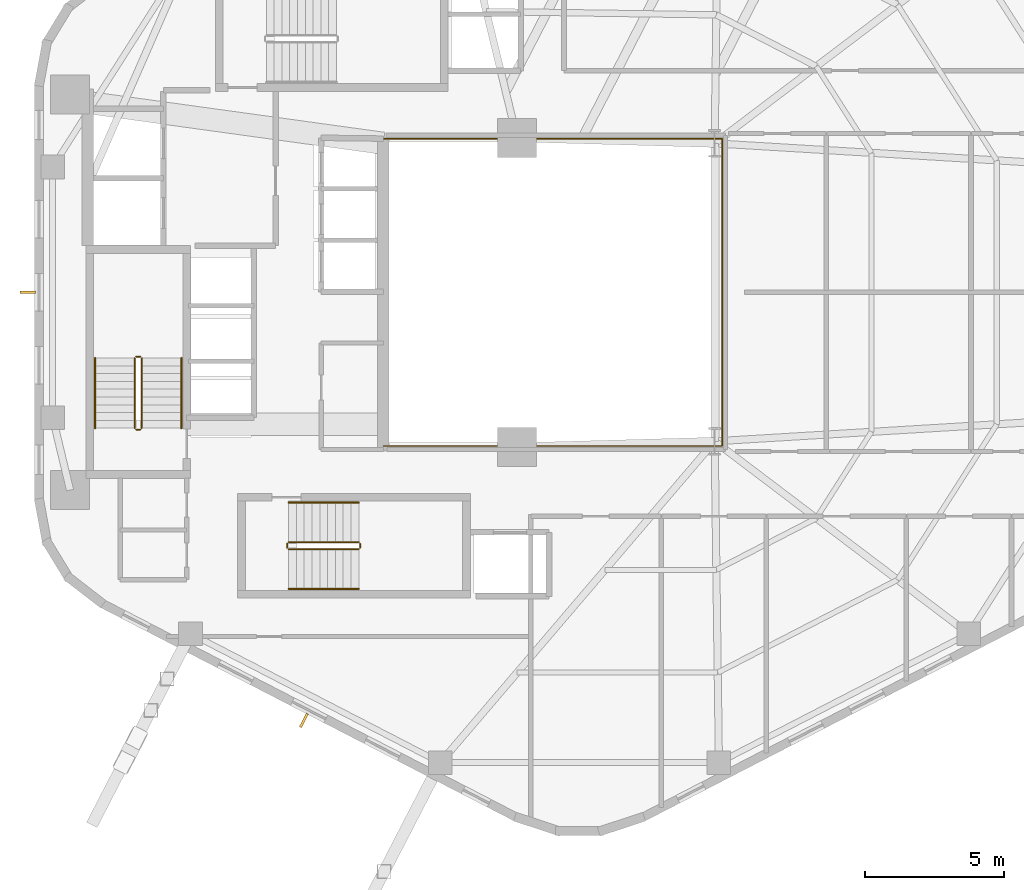
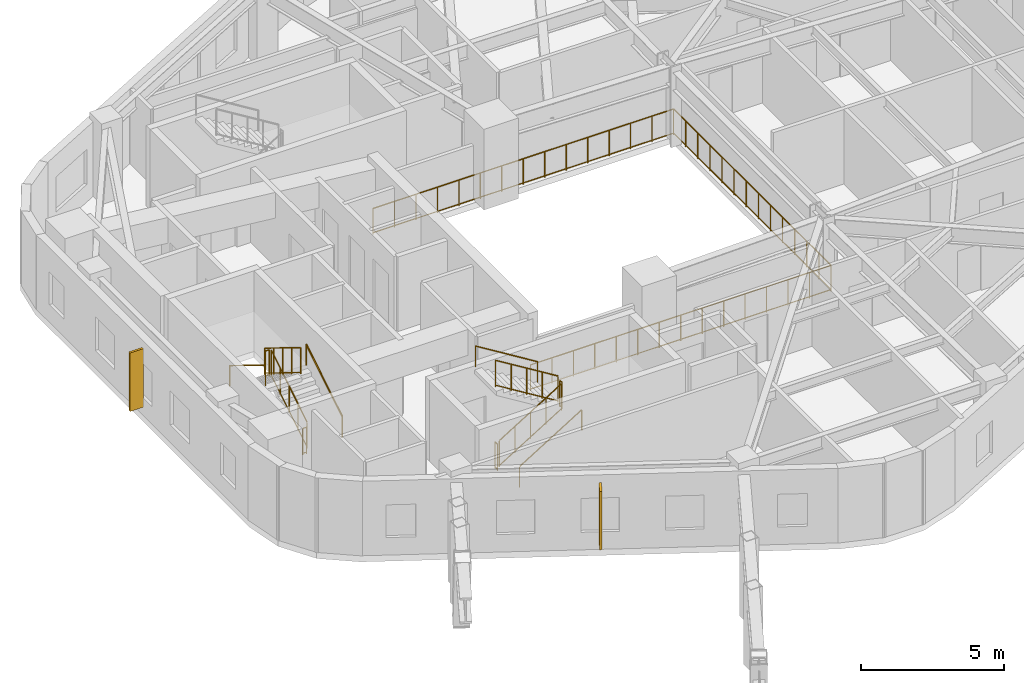
# One storey, part 10 of 11: 13 railings, 2 shading devices.
"""IFC4 building model written with IfcOpenShell, lengths in metres."""

from ifc_helpers import new_model, si_unit, direction, frame, origin, origin_2d, place, context, subcontext, project, spatial, rectangle, circle, extrude, material, type_object, element, save


model = new_model("IFC4")

# Units and contexts
model_context = context("Model", 3, precision=1e-05, world=origin(), true_north=direction((0.0, 1.0)))
body_context = subcontext(model_context, "Body", "Model", "MODEL_VIEW")
ifc_project = project(units=[si_unit("LENGTHUNIT", "METRE"), si_unit("AREAUNIT", "SQUARE_METRE"), si_unit("VOLUMEUNIT", "CUBIC_METRE"), si_unit("PLANEANGLEUNIT", "RADIAN"), si_unit("MASSUNIT", "GRAM", prefix="KILO"), si_unit("THERMODYNAMICTEMPERATUREUNIT", "KELVIN"), si_unit("POWERUNIT", "WATT")], contexts=[model_context])

# Site, building, storey
site_placement = place(None, origin())
site = spatial("IfcSite", under=ifc_project, at=site_placement, CompositionType="ELEMENT")
building_placement = place(site_placement, origin())
building = spatial("IfcBuilding", under=site, at=building_placement, Name="Skarre Station Tower", CompositionType="ELEMENT")
storey_placement = place(building_placement, frame((0.0, 0.0, 167.10009765625)))
storey = spatial("IfcBuildingStorey", under=building, at=storey_placement, Name="L45", CompositionType="ELEMENT", Elevation=167.10009765625)

# Railing
ifc_material_1 = material(Name="Bronze Anodized Steel & Laminated Glass Balustrade", Category="steel")
railing_type_1 = type_object("IfcRailingType", Name="Atrium Void & Mezzanine Guard Balustrade 1120", PredefinedType="GUARDRAIL", material=ifc_material_1)
railing_1_placement = place(storey_placement, frame((27.550048828125, 18.47998046875, 0.0)))
element("IfcRailing", 1, at=railing_1_placement, inside=storey, type_object=railing_type_1, Name="L45 Atrium Void Guard Balustrade", PredefinedType="GUARDRAIL", context=body_context, shape_type="SweptSolid", body=[
    extrude(circle(Radius=0.02392578125, at=origin_2d()), frame((0.0, 0.0, 1.09619140625), z_axis=(1.0, 0.0, 0.0), x_axis=(0.0, 1.0, 0.0)), (0.0, 0.0, 1.0), 12.169921875),
    extrude(circle(Radius=0.02099609375, at=origin_2d()), frame((0.0, 0.0, 0.06005859375), z_axis=(1.0, 0.0, 0.0), x_axis=(0.0, 1.0, 0.0)), (0.0, 0.0, 1.0), 12.169921875),
    extrude(circle(Radius=0.02392578125, at=origin_2d()), frame((12.169921875, 0.0, 1.09619140625), z_axis=(0.0, 1.0, 0.0), x_axis=(-1.0, 0.0, 0.0)), (0.0, 0.0, 1.0), 11.0400390625),
    extrude(circle(Radius=0.02099609375, at=origin_2d()), frame((12.169921875, 0.0, 0.06005859375), z_axis=(0.0, 1.0, 0.0), x_axis=(-1.0, 0.0, 0.0)), (0.0, 0.0, 1.0), 11.0400390625),
    extrude(circle(Radius=0.02392578125, at=origin_2d()), frame((12.169921875, 11.0400390625, 1.09619140625), z_axis=(-1.0, 0.0, 0.0), x_axis=(0.0, -1.0, 0.0)), (0.0, 0.0, 1.0), 12.169921875),
    extrude(circle(Radius=0.02099609375, at=origin_2d()), frame((12.169921875, 11.0400390625, 0.06005859375), z_axis=(-1.0, 0.0, 0.0), x_axis=(0.0, -1.0, 0.0)), (0.0, 0.0, 1.0), 12.169921875),
    extrude(circle(Radius=0.02099609375, at=origin_2d()), origin(), (0.0, 0.0, 1.0), 1.072021484375),
    extrude(circle(Radius=0.02099609375, at=origin_2d()), frame((0.869384765625, 0.0, 0.0)), (0.0, 0.0, 1.0), 1.072021484375),
    extrude(circle(Radius=0.02099609375, at=origin_2d()), frame((1.738525390625, 0.0, 0.0)), (0.0, 0.0, 1.0), 1.072021484375),
    extrude(circle(Radius=0.02099609375, at=origin_2d()), frame((2.60791015625, 0.0, 0.0)), (0.0, 0.0, 1.0), 1.072021484375),
    extrude(circle(Radius=0.02099609375, at=origin_2d()), frame((3.47705078125, 0.0, 0.0)), (0.0, 0.0, 1.0), 1.072021484375),
    extrude(circle(Radius=0.02099609375, at=origin_2d()), frame((4.346435546875, 0.0, 0.0)), (0.0, 0.0, 1.0), 1.072021484375),
    extrude(circle(Radius=0.02099609375, at=origin_2d()), frame((5.215576171875, 0.0, 0.0)), (0.0, 0.0, 1.0), 1.072021484375),
    extrude(circle(Radius=0.02099609375, at=origin_2d()), frame((6.0849609375, 0.0, 0.0)), (0.0, 0.0, 1.0), 1.072021484375),
    extrude(circle(Radius=0.02099609375, at=origin_2d()), frame((6.954345703125, 0.0, 0.0)), (0.0, 0.0, 1.0), 1.072021484375),
    extrude(circle(Radius=0.02099609375, at=origin_2d()), frame((7.823486328125, 0.0, 0.0)), (0.0, 0.0, 1.0), 1.072021484375),
    extrude(circle(Radius=0.02099609375, at=origin_2d()), frame((8.69287109375, 0.0, 0.0)), (0.0, 0.0, 1.0), 1.072021484375),
    extrude(circle(Radius=0.02099609375, at=origin_2d()), frame((9.56201171875, 0.0, 0.0)), (0.0, 0.0, 1.0), 1.072021484375),
    extrude(circle(Radius=0.02099609375, at=origin_2d()), frame((10.431396484375, 0.0, 0.0)), (0.0, 0.0, 1.0), 1.072021484375),
    extrude(circle(Radius=0.02099609375, at=origin_2d()), frame((11.300537109375, 0.0, 0.0)), (0.0, 0.0, 1.0), 1.072021484375),
    extrude(circle(Radius=0.02099609375, at=origin_2d()), frame((12.169921875, 0.0, 0.0)), (0.0, 0.0, 1.0), 1.072021484375),
    extrude(circle(Radius=0.02099609375, at=origin_2d()), frame((12.169921875, 0.84912109375, 0.0)), (0.0, 0.0, 1.0), 1.072021484375),
    extrude(circle(Radius=0.02099609375, at=origin_2d()), frame((12.169921875, 1.698486328125, 0.0)), (0.0, 0.0, 1.0), 1.072021484375),
    extrude(circle(Radius=0.02099609375, at=origin_2d()), frame((12.169921875, 2.547607421875, 0.0)), (0.0, 0.0, 1.0), 1.072021484375),
    extrude(circle(Radius=0.02099609375, at=origin_2d()), frame((12.169921875, 3.39697265625, 0.0)), (0.0, 0.0, 1.0), 1.072021484375),
    extrude(circle(Radius=0.02099609375, at=origin_2d()), frame((12.169921875, 4.24609375, 0.0)), (0.0, 0.0, 1.0), 1.072021484375),
    extrude(circle(Radius=0.02099609375, at=origin_2d()), frame((12.169921875, 5.095458984375, 0.0)), (0.0, 0.0, 1.0), 1.072021484375),
    extrude(circle(Radius=0.02099609375, at=origin_2d()), frame((12.169921875, 5.944580078125, 0.0)), (0.0, 0.0, 1.0), 1.072021484375),
    extrude(circle(Radius=0.02099609375, at=origin_2d()), frame((12.169921875, 6.7939453125, 0.0)), (0.0, 0.0, 1.0), 1.072021484375),
    extrude(circle(Radius=0.02099609375, at=origin_2d()), frame((12.169921875, 7.64306640625, 0.0)), (0.0, 0.0, 1.0), 1.072021484375),
    extrude(circle(Radius=0.02099609375, at=origin_2d()), frame((12.169921875, 8.492431640625, 0.0)), (0.0, 0.0, 1.0), 1.072021484375),
    extrude(circle(Radius=0.02099609375, at=origin_2d()), frame((12.169921875, 9.341552734375, 0.0)), (0.0, 0.0, 1.0), 1.072021484375),
    extrude(circle(Radius=0.02099609375, at=origin_2d()), frame((12.169921875, 10.19091796875, 0.0)), (0.0, 0.0, 1.0), 1.072021484375),
    extrude(circle(Radius=0.02099609375, at=origin_2d()), frame((12.169921875, 11.0400390625, 0.0)), (0.0, 0.0, 1.0), 1.072021484375),
    extrude(circle(Radius=0.02099609375, at=origin_2d()), frame((11.300537109375, 11.0400390625, 0.0)), (0.0, 0.0, 1.0), 1.072021484375),
    extrude(circle(Radius=0.02099609375, at=origin_2d()), frame((10.431396484375, 11.0400390625, 0.0)), (0.0, 0.0, 1.0), 1.072021484375),
    extrude(circle(Radius=0.02099609375, at=origin_2d()), frame((9.56201171875, 11.0400390625, 0.0)), (0.0, 0.0, 1.0), 1.072021484375),
    extrude(circle(Radius=0.02099609375, at=origin_2d()), frame((8.69287109375, 11.0400390625, 0.0)), (0.0, 0.0, 1.0), 1.072021484375),
    extrude(circle(Radius=0.02099609375, at=origin_2d()), frame((7.823486328125, 11.0400390625, 0.0)), (0.0, 0.0, 1.0), 1.072021484375),
    extrude(circle(Radius=0.02099609375, at=origin_2d()), frame((6.954345703125, 11.0400390625, 0.0)), (0.0, 0.0, 1.0), 1.072021484375),
    extrude(circle(Radius=0.02099609375, at=origin_2d()), frame((6.0849609375, 11.0400390625, 0.0)), (0.0, 0.0, 1.0), 1.072021484375),
    extrude(circle(Radius=0.02099609375, at=origin_2d()), frame((5.215576171875, 11.0400390625, 0.0)), (0.0, 0.0, 1.0), 1.072021484375),
    extrude(circle(Radius=0.02099609375, at=origin_2d()), frame((4.346435546875, 11.0400390625, 0.0)), (0.0, 0.0, 1.0), 1.072021484375),
    extrude(circle(Radius=0.02099609375, at=origin_2d()), frame((3.47705078125, 11.0400390625, 0.0)), (0.0, 0.0, 1.0), 1.072021484375),
    extrude(circle(Radius=0.02099609375, at=origin_2d()), frame((2.60791015625, 11.0400390625, 0.0)), (0.0, 0.0, 1.0), 1.072021484375),
    extrude(circle(Radius=0.02099609375, at=origin_2d()), frame((1.738525390625, 11.0400390625, 0.0)), (0.0, 0.0, 1.0), 1.072021484375),
    extrude(circle(Radius=0.02099609375, at=origin_2d()), frame((0.869384765625, 11.0400390625, 0.0)), (0.0, 0.0, 1.0), 1.072021484375),
    extrude(circle(Radius=0.02099609375, at=origin_2d()), frame((0.0, 11.0400390625, 0.0)), (0.0, 0.0, 1.0), 1.072021484375),
])

# Shading devices
ifc_material_2 = material(Name="Bronze Anodized Extruded Aluminium 6063-T6", Category="aluminium")
shading_device_type = type_object("IfcShadingDeviceType", Name="Nordic Bronze Vertical Solar Fin 550x90", PredefinedType="SHUTTER", material=ifc_material_2)
for number, where, z_axis, x_axis, name in (
    (2, (14.778076171875, 24.0, 0.349853515625), (0.0, 0.0, 1.0), (-1.0, 0.0, 0.0), "L45 Facet 2 Bronze Solar Fin"),
    (3, (24.698974609375, 8.6279296875, 0.349853515625), (0.0, 0.0, 1.0), (-0.458634045118, -0.888625237464, 0.0), "L45 Facet 3 Bronze Solar Fin"),
):
    element("IfcShadingDevice", number, at=place(storey_placement, frame(where, z_axis=z_axis, x_axis=x_axis)), inside=storey, type_object=shading_device_type, Name=name, PredefinedType="SHUTTER", context=body_context, shape_type="SweptSolid", body=[
        extrude(rectangle(XDim=0.550048828125, YDim=0.090087890625, at=origin_2d()), origin(), (0.0, 0.0, 1.0), 2.5),
    ])

# Railings
ifc_material_3 = material(Name="Powder-Coated Tubular Steel", Category="steel")
railing_type_2 = type_object("IfcRailingType", Name="Painted Steel Ramp & Stair Handrail 920", PredefinedType="HANDRAIL", material=ifc_material_3)
railing_2_placement = place(storey_placement, frame((20.300048828125, 19.1201171875, 0.17236328125)))
element("IfcRailing", 4, at=railing_2_placement, inside=storey, type_object=railing_type_2, Name="L45 ST-1 stair handrail 1", PredefinedType="HANDRAIL", context=body_context, shape_type="SweptSolid", body=[
    extrude(circle(Radius=0.02392578125, at=origin_2d()), frame((0.0, 0.0, 0.8759765625), z_axis=(0.0, 0.851377800117, 0.52455299205), x_axis=(-1.0, 0.0, 0.0)), (0.0, 0.0, 1.0), 2.959716796875),
    extrude(circle(Radius=0.02099609375, at=origin_2d()), origin(), (0.0, 0.0, 1.0), 0.851806640625),
    extrude(circle(Radius=0.02099609375, at=origin_2d()), frame((0.0, 2.519775390625, 1.552490234375)), (0.0, 0.0, 1.0), 0.851806640625),
])
railing_3_placement = place(storey_placement, frame((17.199951171875, 21.639892578125, 1.8974609375)))
element("IfcRailing", 5, at=railing_3_placement, inside=storey, type_object=railing_type_2, Name="L45 ST-1 stair handrail 2", PredefinedType="HANDRAIL", context=body_context, shape_type="SweptSolid", body=[
    extrude(circle(Radius=0.02392578125, at=origin_2d()), frame((0.0, 0.0, 0.8759765625), z_axis=(0.0, -0.851377800117, 0.52455299205), x_axis=(1.0, 0.0, 0.0)), (0.0, 0.0, 1.0), 2.959716796875),
    extrude(circle(Radius=0.02099609375, at=origin_2d()), origin(), (0.0, 0.0, 1.0), 0.851806640625),
    extrude(circle(Radius=0.02099609375, at=origin_2d()), frame((0.0, -2.519775390625, 1.552490234375)), (0.0, 0.0, 1.0), 0.851806640625),
])
railing_4_placement = place(storey_placement, frame((24.14990234375, 13.35009765625, 0.17236328125)))
element("IfcRailing", 6, at=railing_4_placement, inside=storey, type_object=railing_type_2, Name="L45 ST-2 stair handrail 1", PredefinedType="HANDRAIL", context=body_context, shape_type="SweptSolid", body=[
    extrude(circle(Radius=0.02392578125, at=origin_2d()), frame((0.0, 0.0, 0.8759765625), z_axis=(0.851400495292, 0.0, 0.524516154772), x_axis=(0.0, 1.0, 0.0)), (0.0, 0.0, 1.0), 2.9599609375),
    extrude(circle(Radius=0.02099609375, at=origin_2d()), origin(), (0.0, 0.0, 1.0), 0.851806640625),
    extrude(circle(Radius=0.02099609375, at=origin_2d()), frame((2.52001953125, 0.0, 1.552490234375)), (0.0, 0.0, 1.0), 0.851806640625),
])
railing_5_placement = place(storey_placement, frame((26.669921875, 16.449951171875, 1.8974609375)))
element("IfcRailing", 7, at=railing_5_placement, inside=storey, type_object=railing_type_2, Name="L45 ST-2 stair handrail 2", PredefinedType="HANDRAIL", context=body_context, shape_type="SweptSolid", body=[
    extrude(circle(Radius=0.02392578125, at=origin_2d()), frame((0.0, 0.0, 0.8759765625), z_axis=(-0.851400495292, 0.0, 0.524516154772), x_axis=(0.0, -1.0, 0.0)), (0.0, 0.0, 1.0), 2.9599609375),
    extrude(circle(Radius=0.02099609375, at=origin_2d()), origin(), (0.0, 0.0, 1.0), 0.851806640625),
    extrude(circle(Radius=0.02099609375, at=origin_2d()), frame((-2.52001953125, 0.0, 1.552490234375)), (0.0, 0.0, 1.0), 0.851806640625),
])
railing_type_3 = type_object("IfcRailingType", Name="Painted Steel Stairwell Guardrail 1100", PredefinedType="GUARDRAIL", material=ifc_material_3)
railing_6_placement = place(storey_placement, frame((18.8798828125, 19.1201171875, 0.17236328125)))
element("IfcRailing", 8, at=railing_6_placement, inside=storey, type_object=railing_type_3, Name="L45 ST-1 stair guard 1", PredefinedType="GUARDRAIL", context=body_context, shape_type="SweptSolid", body=[
    extrude(circle(Radius=0.02392578125, at=origin_2d()), frame((0.0, 0.0, 1.1259765625), z_axis=(0.0, 0.851377800117, 0.52455299205), x_axis=(-1.0, 0.0, 0.0)), (0.0, 0.0, 1.0), 2.959716796875),
    extrude(circle(Radius=0.02099609375, at=origin_2d()), frame((0.0, 0.0, 0.06005859375), z_axis=(0.0, 0.851377800117, 0.52455299205), x_axis=(-1.0, 0.0, 0.0)), (0.0, 0.0, 1.0), 2.959716796875),
    extrude(circle(Radius=0.02099609375, at=origin_2d()), origin(), (0.0, 0.0, 1.0), 1.101806640625),
    extrude(circle(Radius=0.02099609375, at=origin_2d()), frame((0.0, 0.6298828125, 0.38818359375)), (0.0, 0.0, 1.0), 1.101806640625),
    extrude(circle(Radius=0.02099609375, at=origin_2d()), frame((0.0, 1.259765625, 0.7763671875)), (0.0, 0.0, 1.0), 1.101806640625),
    extrude(circle(Radius=0.02099609375, at=origin_2d()), frame((0.0, 1.889892578125, 1.164306640625)), (0.0, 0.0, 1.0), 1.101806640625),
    extrude(circle(Radius=0.02099609375, at=origin_2d()), frame((0.0, 2.519775390625, 1.552490234375)), (0.0, 0.0, 1.0), 1.101806640625),
])
railing_7_placement = place(storey_placement, frame((18.830078125, 21.68994140625, 1.724853515625)))
element("IfcRailing", 9, at=railing_7_placement, inside=storey, type_object=railing_type_3, Name="L45 ST-1 stair guard 2", PredefinedType="GUARDRAIL", context=body_context, shape_type="SweptSolid", body=[
    extrude(circle(Radius=0.02392578125, at=origin_2d()), frame((0.0, 0.0, 1.1259765625), z_axis=(-1.0, 0.0, 0.0), x_axis=(0.0, -1.0, 0.0)), (0.0, 0.0, 1.0), 0.16015625),
    extrude(circle(Radius=0.02099609375, at=origin_2d()), frame((0.0, 0.0, 0.06005859375), z_axis=(-1.0, 0.0, 0.0), x_axis=(0.0, -1.0, 0.0)), (0.0, 0.0, 1.0), 0.16015625),
    extrude(circle(Radius=0.02099609375, at=origin_2d()), origin(), (0.0, 0.0, 1.0), 1.101806640625),
    extrude(circle(Radius=0.02099609375, at=origin_2d()), frame((-0.16015625, 0.0, 0.0)), (0.0, 0.0, 1.0), 1.101806640625),
])
railing_8_placement = place(storey_placement, frame((18.6201171875, 21.639892578125, 1.8974609375)))
element("IfcRailing", 10, at=railing_8_placement, inside=storey, type_object=railing_type_3, Name="L45 ST-1 stair guard 3", PredefinedType="GUARDRAIL", context=body_context, shape_type="SweptSolid", body=[
    extrude(circle(Radius=0.02392578125, at=origin_2d()), frame((0.0, 0.0, 1.1259765625), z_axis=(0.0, -0.851377800117, 0.52455299205), x_axis=(1.0, 0.0, 0.0)), (0.0, 0.0, 1.0), 2.959716796875),
    extrude(circle(Radius=0.02099609375, at=origin_2d()), frame((0.0, 0.0, 0.06005859375), z_axis=(0.0, -0.851377800117, 0.52455299205), x_axis=(1.0, 0.0, 0.0)), (0.0, 0.0, 1.0), 2.959716796875),
    extrude(circle(Radius=0.02099609375, at=origin_2d()), origin(), (0.0, 0.0, 1.0), 1.101806640625),
    extrude(circle(Radius=0.02099609375, at=origin_2d()), frame((0.0, -0.6298828125, 0.38818359375)), (0.0, 0.0, 1.0), 1.101806640625),
    extrude(circle(Radius=0.02099609375, at=origin_2d()), frame((0.0, -1.259765625, 0.7763671875)), (0.0, 0.0, 1.0), 1.101806640625),
    extrude(circle(Radius=0.02099609375, at=origin_2d()), frame((0.0, -1.889892578125, 1.164306640625)), (0.0, 0.0, 1.0), 1.101806640625),
    extrude(circle(Radius=0.02099609375, at=origin_2d()), frame((0.0, -2.519775390625, 1.552490234375)), (0.0, 0.0, 1.0), 1.101806640625),
])
railing_9_placement = place(storey_placement, frame((18.830078125, 19.070068359375, 0.0)))
element("IfcRailing", 11, at=railing_9_placement, inside=storey, type_object=railing_type_3, Name="L45 ST-1 stair guard 4", PredefinedType="GUARDRAIL", context=body_context, shape_type="SweptSolid", body=[
    extrude(circle(Radius=0.02392578125, at=origin_2d()), frame((0.0, 0.0, 1.1259765625), z_axis=(-1.0, 0.0, 0.0), x_axis=(0.0, -1.0, 0.0)), (0.0, 0.0, 1.0), 0.16015625),
    extrude(circle(Radius=0.02099609375, at=origin_2d()), frame((0.0, 0.0, 0.06005859375), z_axis=(-1.0, 0.0, 0.0), x_axis=(0.0, -1.0, 0.0)), (0.0, 0.0, 1.0), 0.16015625),
    extrude(circle(Radius=0.02099609375, at=origin_2d()), origin(), (0.0, 0.0, 1.0), 1.101806640625),
    extrude(circle(Radius=0.02099609375, at=origin_2d()), frame((-0.16015625, 0.0, 0.0)), (0.0, 0.0, 1.0), 1.101806640625),
])
railing_10_placement = place(storey_placement, frame((24.14990234375, 14.77001953125, 0.17236328125)))
element("IfcRailing", 12, at=railing_10_placement, inside=storey, type_object=railing_type_3, Name="L45 ST-2 stair guard 1", PredefinedType="GUARDRAIL", context=body_context, shape_type="SweptSolid", body=[
    extrude(circle(Radius=0.02392578125, at=origin_2d()), frame((0.0, 0.0, 1.1259765625), z_axis=(0.851400495292, 0.0, 0.524516154772), x_axis=(0.0, 1.0, 0.0)), (0.0, 0.0, 1.0), 2.9599609375),
    extrude(circle(Radius=0.02099609375, at=origin_2d()), frame((0.0, 0.0, 0.06005859375), z_axis=(0.851400495292, 0.0, 0.524516154772), x_axis=(0.0, 1.0, 0.0)), (0.0, 0.0, 1.0), 2.9599609375),
    extrude(circle(Radius=0.02099609375, at=origin_2d()), origin(), (0.0, 0.0, 1.0), 1.101806640625),
    extrude(circle(Radius=0.02099609375, at=origin_2d()), frame((0.6298828125, 0.0, 0.38818359375)), (0.0, 0.0, 1.0), 1.101806640625),
    extrude(circle(Radius=0.02099609375, at=origin_2d()), frame((1.260009765625, 0.0, 0.7763671875)), (0.0, 0.0, 1.0), 1.101806640625),
    extrude(circle(Radius=0.02099609375, at=origin_2d()), frame((1.89013671875, 0.0, 1.164306640625)), (0.0, 0.0, 1.0), 1.101806640625),
    extrude(circle(Radius=0.02099609375, at=origin_2d()), frame((2.52001953125, 0.0, 1.552490234375)), (0.0, 0.0, 1.0), 1.101806640625),
])
railing_11_placement = place(storey_placement, frame((26.719970703125, 14.820068359375, 1.724853515625)))
element("IfcRailing", 13, at=railing_11_placement, inside=storey, type_object=railing_type_3, Name="L45 ST-2 stair guard 2", PredefinedType="GUARDRAIL", context=body_context, shape_type="SweptSolid", body=[
    extrude(circle(Radius=0.02392578125, at=origin_2d()), frame((0.0, 0.0, 1.1259765625), z_axis=(0.0, 1.0, 0.0), x_axis=(-1.0, 0.0, 0.0)), (0.0, 0.0, 1.0), 0.159912109375),
    extrude(circle(Radius=0.02099609375, at=origin_2d()), frame((0.0, 0.0, 0.06005859375), z_axis=(0.0, 1.0, 0.0), x_axis=(-1.0, 0.0, 0.0)), (0.0, 0.0, 1.0), 0.159912109375),
    extrude(circle(Radius=0.02099609375, at=origin_2d()), origin(), (0.0, 0.0, 1.0), 1.101806640625),
    extrude(circle(Radius=0.02099609375, at=origin_2d()), frame((0.0, 0.159912109375, 0.0)), (0.0, 0.0, 1.0), 1.101806640625),
])
railing_12_placement = place(storey_placement, frame((26.669921875, 15.030029296875, 1.8974609375)))
element("IfcRailing", 14, at=railing_12_placement, inside=storey, type_object=railing_type_3, Name="L45 ST-2 stair guard 3", PredefinedType="GUARDRAIL", context=body_context, shape_type="SweptSolid", body=[
    extrude(circle(Radius=0.02392578125, at=origin_2d()), frame((0.0, 0.0, 1.1259765625), z_axis=(-0.851400495292, 0.0, 0.524516154772), x_axis=(0.0, -1.0, 0.0)), (0.0, 0.0, 1.0), 2.9599609375),
    extrude(circle(Radius=0.02099609375, at=origin_2d()), frame((0.0, 0.0, 0.06005859375), z_axis=(-0.851400495292, 0.0, 0.524516154772), x_axis=(0.0, -1.0, 0.0)), (0.0, 0.0, 1.0), 2.9599609375),
    extrude(circle(Radius=0.02099609375, at=origin_2d()), origin(), (0.0, 0.0, 1.0), 1.101806640625),
    extrude(circle(Radius=0.02099609375, at=origin_2d()), frame((-0.6298828125, 0.0, 0.38818359375)), (0.0, 0.0, 1.0), 1.101806640625),
    extrude(circle(Radius=0.02099609375, at=origin_2d()), frame((-1.260009765625, 0.0, 0.7763671875)), (0.0, 0.0, 1.0), 1.101806640625),
    extrude(circle(Radius=0.02099609375, at=origin_2d()), frame((-1.89013671875, 0.0, 1.164306640625)), (0.0, 0.0, 1.0), 1.101806640625),
    extrude(circle(Radius=0.02099609375, at=origin_2d()), frame((-2.52001953125, 0.0, 1.552490234375)), (0.0, 0.0, 1.0), 1.101806640625),
])
railing_13_placement = place(storey_placement, frame((24.10009765625, 14.820068359375, 0.0)))
element("IfcRailing", 15, at=railing_13_placement, inside=storey, type_object=railing_type_3, Name="L45 ST-2 stair guard 4", PredefinedType="GUARDRAIL", context=body_context, shape_type="SweptSolid", body=[
    extrude(circle(Radius=0.02392578125, at=origin_2d()), frame((0.0, 0.0, 1.1259765625), z_axis=(0.0, 1.0, 0.0), x_axis=(-1.0, 0.0, 0.0)), (0.0, 0.0, 1.0), 0.159912109375),
    extrude(circle(Radius=0.02099609375, at=origin_2d()), frame((0.0, 0.0, 0.06005859375), z_axis=(0.0, 1.0, 0.0), x_axis=(-1.0, 0.0, 0.0)), (0.0, 0.0, 1.0), 0.159912109375),
    extrude(circle(Radius=0.02099609375, at=origin_2d()), origin(), (0.0, 0.0, 1.0), 1.101806640625),
    extrude(circle(Radius=0.02099609375, at=origin_2d()), frame((0.0, 0.159912109375, 0.0)), (0.0, 0.0, 1.0), 1.101806640625),
])

save(model, "model.ifc")
